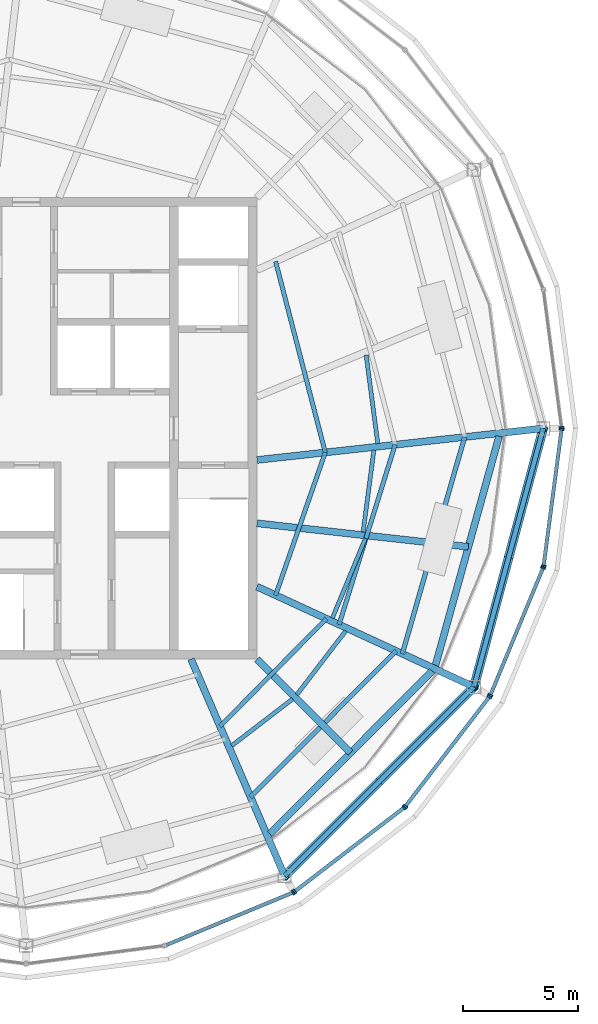
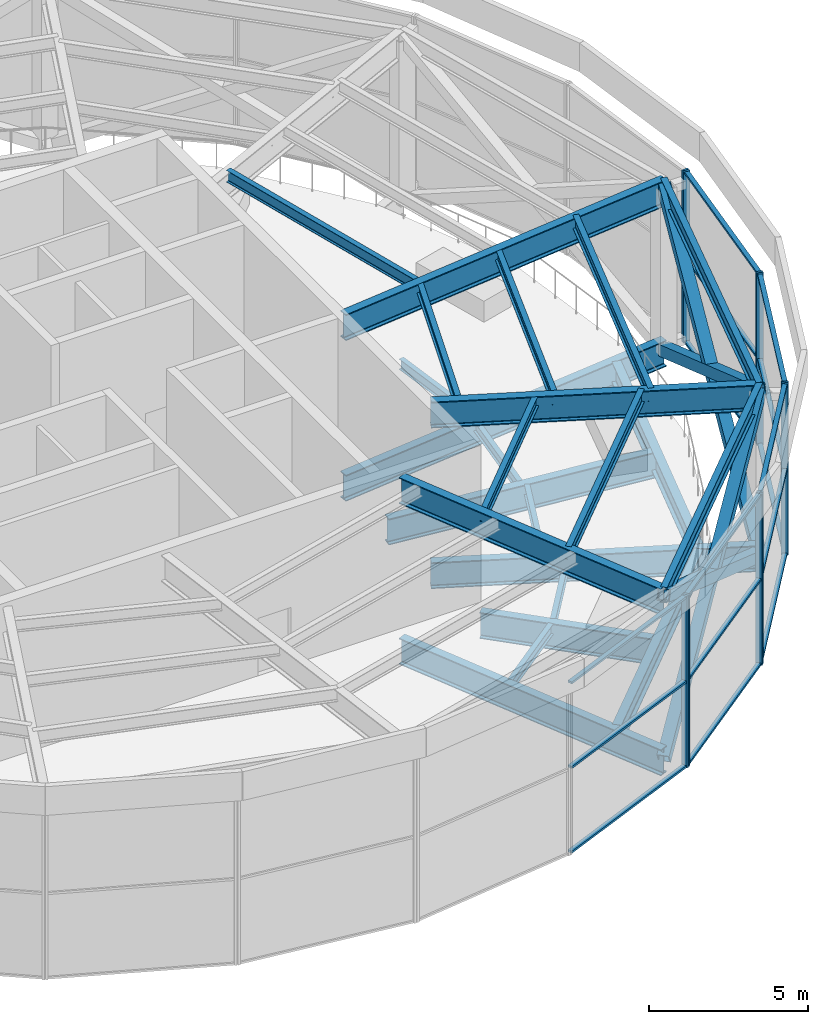
# One storey, part 4 of 13: 35 members, 17 beams, 6 elements without a shape of their own.
"""IFC4 building model written with IfcOpenShell, lengths in metres."""

from ifc_helpers import new_model, si_unit, direction, frame, origin, origin_2d, place, context, subcontext, project, spatial, rectangle, hollow_rectangle, i_section, extrude, material, material_profile, profile_set, type_object, element, aggregate, save


model = new_model("IFC4")

# Units and contexts
model_context = context("Model", 3, precision=1e-05, world=origin(), true_north=direction((0.0, 1.0)))
body_context = subcontext(model_context, "Body", "Model", "MODEL_VIEW")
ifc_project = project(units=[si_unit("LENGTHUNIT", "METRE"), si_unit("AREAUNIT", "SQUARE_METRE"), si_unit("VOLUMEUNIT", "CUBIC_METRE"), si_unit("PLANEANGLEUNIT", "RADIAN"), si_unit("MASSUNIT", "GRAM", prefix="KILO")], contexts=[model_context])

# Site, building, storey
site_placement = place(None, origin())
site = spatial("IfcSite", under=ifc_project, at=site_placement, CompositionType="ELEMENT")
building_placement = place(site_placement, origin())
building = spatial("IfcBuilding", under=site, at=building_placement, Name="Golbaran Civic Tower", CompositionType="ELEMENT")
storey_placement = place(building_placement, frame((0.0, 0.0, 284.0)))
storey = spatial("IfcBuildingStorey", under=building, at=storey_placement, Name="L69", CompositionType="ELEMENT", Elevation=284.0)

# Members
ifc_material_1 = material(Name="Steel S355", Category="steel")
ifc_material_profile_1 = material_profile(ifc_material_1, hollow_rectangle(XDim=0.39990234375, YDim=0.39990234375, WallThickness=0.030029296875, at=origin_2d()), Name="BOX 400x400x30")
ifc_profile_set_1 = profile_set([ifc_material_profile_1], Name="Steel S355")
member_type_1 = type_object("IfcMemberType", Name="CROWN FRAME BRACE BOX 400x400x30", PredefinedType="BRACE", material=ifc_profile_set_1)
for number, where, z_axis, x_axis, name in (
    (1, (11.199951171875, -19.39892578125, -0.7099609375), (0.622217242579, 0.622217242579, 0.475069895988), (-0.707106781187, 0.707106781187, 0.0), "Crown frame brace 11A"),
    (2, (19.39892578125, -11.199951171875, -0.7099609375), (-0.622217242579, -0.622217242579, 0.475069895988), (0.707106781187, -0.707106781187, 0.0), "Crown frame brace 11B"),
    (3, (19.39892578125, -11.199951171875, -0.7099609375), (0.227744086126, 0.849964200377, 0.475072088542), (-0.965926716951, 0.258815721085, 0.0), "Crown frame brace 12A"),
    (4, (22.39990234375, 0.0, -0.7099609375), (-0.227744086126, -0.849964200377, 0.475072088542), (0.965926716951, -0.258815721085, 0.0), "Crown frame brace 12B"),
):
    element("IfcMember", number, at=place(storey_placement, frame(where, z_axis=z_axis, x_axis=x_axis)), inside=storey, type_object=member_type_1, Name=name, PredefinedType="BRACE", context=body_context, shape_type="SweptSolid", body=[
        extrude(hollow_rectangle(XDim=0.39990234375, YDim=0.39990234375, WallThickness=0.030029296875, at=origin_2d()), origin(), (0.0, 0.0, 1.0), 13.177001953125),
    ])
ifc_material_profile_2 = material_profile(ifc_material_1, i_section(OverallWidth=0.18994140625, OverallDepth=0.449951171875, WebThickness=0.009521484375, FlangeThickness=0.0146484375, FilletRadius=0.02099609375, at=origin_2d()), Name="IPE 450")
ifc_profile_set_2 = profile_set([ifc_material_profile_2], Name="Steel S355")
member_type_2 = type_object("IfcMemberType", Name="CROWN FRAME CANOPY PURLIN IPE 450", PredefinedType="PURLIN", material=ifc_profile_set_2)
member_1_placement = place(storey_placement, frame((12.9580078125, -1.044189453125, 5.625), z_axis=(-0.251884758859, 0.967757236219, 0.0), x_axis=(-0.967757236219, -0.251884758859, 0.0)))
element("IfcMember", 5, at=member_1_placement, inside=storey, type_object=member_type_2, Name="Canopy purlin 1-1", PredefinedType="PURLIN", context=body_context, shape_type="SweptSolid", body=[
    extrude(i_section(OverallWidth=0.18994140625, OverallDepth=0.449951171875, WebThickness=0.009521484375, FlangeThickness=0.0146484375, FilletRadius=0.02099609375, at=origin_2d()), origin(), (0.0, 0.0, 1.0), 8.548828125),
])
member_2_placement = place(storey_placement, frame((8.3984375, -12.908447265625, 5.625), z_axis=(0.702923047744, 0.711265905938, 0.0), x_axis=(-0.711265905938, 0.702923047744, 0.0)))
element("IfcMember", 6, at=member_2_placement, inside=storey, type_object=member_type_2, Name="Canopy purlin 11-1", PredefinedType="PURLIN", context=body_context, shape_type="SweptSolid", body=[
    extrude(i_section(OverallWidth=0.18994140625, OverallDepth=0.449951171875, WebThickness=0.009521484375, FlangeThickness=0.0146484375, FilletRadius=0.02099609375, at=origin_2d()), origin(), (0.0, 0.0, 1.0), 6.554931640625),
])
member_3_placement = place(storey_placement, frame((10.8046875, -7.22900390625, 5.625), z_axis=(0.328804008774, 0.944398180756, 0.0), x_axis=(-0.944398180756, 0.328804008774, 0.0)))
element("IfcMember", 7, at=member_3_placement, inside=storey, type_object=member_type_2, Name="Canopy purlin 12-1", PredefinedType="PURLIN", context=body_context, shape_type="SweptSolid", body=[
    extrude(i_section(OverallWidth=0.18994140625, OverallDepth=0.449951171875, WebThickness=0.009521484375, FlangeThickness=0.0146484375, FilletRadius=0.02099609375, at=origin_2d()), origin(), (0.0, 0.0, 1.0), 6.548828125),
])
member_4_placement = place(storey_placement, frame((13.555419921875, -8.5, 5.625), z_axis=(0.297651448365, 0.954674612256, 0.0), x_axis=(-0.954674612256, 0.297651448365, 0.0)))
element("IfcMember", 8, at=member_4_placement, inside=storey, type_object=member_type_2, Name="Canopy purlin 12-2", PredefinedType="PURLIN", context=body_context, shape_type="SweptSolid", body=[
    extrude(i_section(OverallWidth=0.18994140625, OverallDepth=0.449951171875, WebThickness=0.009521484375, FlangeThickness=0.0146484375, FilletRadius=0.02099609375, at=origin_2d()), origin(), (0.0, 0.0, 1.0), 8.160400390625),
])
ifc_material_profile_3 = material_profile(ifc_material_1, i_section(OverallWidth=0.199951171875, OverallDepth=0.5, WebThickness=0.01025390625, FlangeThickness=0.01611328125, FilletRadius=0.02099609375, at=origin_2d()), Name="IPE 500")
ifc_profile_set_3 = profile_set([ifc_material_profile_3], Name="Steel S355")
member_type_3 = type_object("IfcMemberType", Name="CROWN FRAME CANOPY PURLIN IPE 500", PredefinedType="PURLIN", material=ifc_profile_set_3)
member_5_placement = place(storey_placement, frame((9.7216796875, -15.974365234375, 5.60009765625), z_axis=(0.705301061713, 0.708907901173, 0.0), x_axis=(-0.708907901173, 0.705301061713, 0.0)))
element("IfcMember", 9, at=member_5_placement, inside=storey, type_object=member_type_3, Name="Canopy purlin 11-2", PredefinedType="PURLIN", context=body_context, shape_type="SweptSolid", body=[
    extrude(i_section(OverallWidth=0.199951171875, OverallDepth=0.5, WebThickness=0.01025390625, FlangeThickness=0.01611328125, FilletRadius=0.02099609375, at=origin_2d()), origin(), (0.0, 0.0, 1.0), 8.934814453125),
])
member_6_placement = place(storey_placement, frame((16.29736328125, -9.766845703125, 5.60009765625), z_axis=(0.276235588519, 0.961089953977, 0.0), x_axis=(-0.961089953977, 0.276235588519, 0.0)))
element("IfcMember", 10, at=member_6_placement, inside=storey, type_object=member_type_3, Name="Canopy purlin 12-3", PredefinedType="PURLIN", context=body_context, shape_type="SweptSolid", body=[
    extrude(i_section(OverallWidth=0.199951171875, OverallDepth=0.5, WebThickness=0.01025390625, FlangeThickness=0.01611328125, FilletRadius=0.02099609375, at=origin_2d()), origin(), (0.0, 0.0, 1.0), 9.7705078125),
])

# Beams
ifc_material_profile_4 = material_profile(ifc_material_1, i_section(OverallWidth=0.300048828125, OverallDepth=1.0, WebThickness=0.01904296875, FlangeThickness=0.035888671875, FilletRadius=0.030029296875, at=origin_2d()), Name="HEB 1000")
ifc_profile_set_4 = profile_set([ifc_material_profile_4], Name="Steel S355")
beam_type_1 = type_object("IfcBeamType", Name="CROWN FRAME CANOPY RADIAL BEAM HEB 1000", PredefinedType="BEAM", material=ifc_profile_set_4)
beam_1_placement = place(storey_placement, frame((10.0, -1.371337890625, 5.35009765625), z_axis=(0.993940165239, 0.109922463244, 0.0), x_axis=(-0.109922463244, 0.993940165239, 0.0)))
element("IfcBeam", 11, at=beam_1_placement, inside=storey, type_object=beam_type_1, Name="Canopy radial beam 1", PredefinedType="BEAM", context=body_context, shape_type="SweptSolid", body=[
    extrude(i_section(OverallWidth=0.300048828125, OverallDepth=1.0, WebThickness=0.01904296875, FlangeThickness=0.035888671875, FilletRadius=0.030029296875, at=origin_2d()), origin(), (0.0, 0.0, 1.0), 12.4755859375),
])
beam_2_placement = place(storey_placement, frame((7.142822265625, -10.0, 5.35009765625), z_axis=(0.396312669682, -0.918115607018, 0.0), x_axis=(0.918115607018, 0.396312669682, 0.0)))
element("IfcBeam", 12, at=beam_2_placement, inside=storey, type_object=beam_type_1, Name="Canopy radial beam 11", PredefinedType="BEAM", context=body_context, shape_type="SweptSolid", body=[
    extrude(i_section(OverallWidth=0.300048828125, OverallDepth=1.0, WebThickness=0.01904296875, FlangeThickness=0.035888671875, FilletRadius=0.030029296875, at=origin_2d()), origin(), (0.0, 0.0, 1.0), 10.2373046875),
])
beam_3_placement = place(storey_placement, frame((10.0, -6.857177734375, 5.35009765625), z_axis=(0.907782626383, -0.419440941298, 0.0), x_axis=(0.419440941298, 0.907782626383, 0.0)))
element("IfcBeam", 13, at=beam_3_placement, inside=storey, type_object=beam_type_1, Name="Canopy radial beam 12", PredefinedType="BEAM", context=body_context, shape_type="SweptSolid", body=[
    extrude(i_section(OverallWidth=0.300048828125, OverallDepth=1.0, WebThickness=0.01904296875, FlangeThickness=0.035888671875, FilletRadius=0.030029296875, at=origin_2d()), origin(), (0.0, 0.0, 1.0), 10.353759765625),
])
ifc_material_profile_5 = material_profile(ifc_material_1, i_section(OverallWidth=0.219970703125, OverallDepth=0.60009765625, WebThickness=0.011962890625, FlangeThickness=0.01904296875, FilletRadius=0.02392578125, at=origin_2d()), Name="IPE 600")
ifc_profile_set_5 = profile_set([ifc_material_profile_5], Name="Steel S355")
beam_type_2 = type_object("IfcBeamType", Name="CROWN FRAME CANOPY RING BEAM IPE 600", PredefinedType="BEAM", material=ifc_profile_set_5)
beam_4_placement = place(storey_placement, frame((11.199951171875, -19.39892578125, 5.550048828125), z_axis=(0.707106781187, 0.707106781187, 0.0), x_axis=(-0.707106781187, 0.707106781187, 0.0)))
element("IfcBeam", 14, at=beam_4_placement, inside=storey, type_object=beam_type_2, Name="Canopy ring beam 11", PredefinedType="BEAM", context=body_context, shape_type="SweptSolid", body=[
    extrude(i_section(OverallWidth=0.219970703125, OverallDepth=0.60009765625, WebThickness=0.011962890625, FlangeThickness=0.01904296875, FilletRadius=0.02392578125, at=origin_2d()), origin(), (0.0, 0.0, 1.0), 11.59521484375),
])
beam_5_placement = place(storey_placement, frame((19.39892578125, -11.199951171875, 5.550048828125), z_axis=(0.258815721085, 0.965926716951, 0.0), x_axis=(-0.965926716951, 0.258815721085, 0.0)))
element("IfcBeam", 15, at=beam_5_placement, inside=storey, type_object=beam_type_2, Name="Canopy ring beam 12", PredefinedType="BEAM", context=body_context, shape_type="SweptSolid", body=[
    extrude(i_section(OverallWidth=0.219970703125, OverallDepth=0.60009765625, WebThickness=0.011962890625, FlangeThickness=0.01904296875, FilletRadius=0.02392578125, at=origin_2d()), origin(), (0.0, 0.0, 1.0), 11.594970703125),
])
ifc_material_profile_6 = material_profile(ifc_material_1, i_section(OverallWidth=0.300048828125, OverallDepth=0.800048828125, WebThickness=0.017578125, FlangeThickness=0.032958984375, FilletRadius=0.030029296875, at=origin_2d()), Name="HEB 800")
ifc_profile_set_6 = profile_set([ifc_material_profile_6], Name="Steel S355")
beam_type_3 = type_object("IfcBeamType", Name="EDGE BEAM HEB 800", PredefinedType="BEAM", material=ifc_profile_set_6)
beam_6_placement = place(storey_placement, frame((10.551513671875, -17.568359375, -0.699951171875), z_axis=(0.706273825307, 0.707938757017, 0.0), x_axis=(-0.707938757017, 0.706273825307, 0.0)))
element("IfcBeam", 16, at=beam_6_placement, inside=storey, type_object=beam_type_3, Name="Edge beam 300.00 L69", PredefinedType="BEAM", context=body_context, shape_type="SweptSolid", body=[
    extrude(i_section(OverallWidth=0.300048828125, OverallDepth=0.800048828125, WebThickness=0.017578125, FlangeThickness=0.032958984375, FilletRadius=0.030029296875, at=origin_2d()), origin(), (0.0, 0.0, 1.0), 9.971435546875),
])
beam_7_placement = place(storey_placement, frame((17.72705078125, -10.2841796875, -0.699951171875), z_axis=(0.267689014056, 0.963505366749, 0.0), x_axis=(-0.963505366749, 0.267689014056, 0.0)))
element("IfcBeam", 17, at=beam_7_placement, inside=storey, type_object=beam_type_3, Name="Edge beam 330.00 L69", PredefinedType="BEAM", context=body_context, shape_type="SweptSolid", body=[
    extrude(i_section(OverallWidth=0.300048828125, OverallDepth=0.800048828125, WebThickness=0.017578125, FlangeThickness=0.032958984375, FilletRadius=0.030029296875, at=origin_2d()), origin(), (0.0, 0.0, 1.0), 10.318603515625),
])
ifc_material_profile_7 = material_profile(ifc_material_1, i_section(OverallWidth=0.179931640625, OverallDepth=0.39990234375, WebThickness=0.008544921875, FlangeThickness=0.013427734375, FilletRadius=0.02099609375, at=origin_2d()), Name="IPE 400")
ifc_profile_set_7 = profile_set([ifc_material_profile_7], Name="Steel S355")
beam_type_4 = type_object("IfcBeamType", Name="FLOOR INFILL BEAM IPE 400", PredefinedType="BEAM", material=ifc_profile_set_7)
beam_8_placement = place(storey_placement, frame((15.2333984375, -0.661865234375, -0.5), z_axis=(-0.130519754353, 0.991445708914, 0.0), x_axis=(-0.991445708914, -0.130519754353, 0.0)))
element("IfcBeam", 18, at=beam_8_placement, inside=storey, type_object=beam_type_4, Name="Infill beam 7.50 L69", PredefinedType="BEAM", context=body_context, shape_type="SweptSolid", body=[
    extrude(i_section(OverallWidth=0.179931640625, OverallDepth=0.39990234375, WebThickness=0.008544921875, FlangeThickness=0.013427734375, FilletRadius=0.02099609375, at=origin_2d()), origin(), (0.0, 0.0, 1.0), 3.8720703125),
])
beam_9_placement = place(storey_placement, frame((8.9033203125, -13.75, -0.5), z_axis=(0.793371165585, 0.60873819793, 0.0), x_axis=(-0.60873819793, 0.793371165585, 0.0)))
element("IfcBeam", 19, at=beam_9_placement, inside=storey, type_object=beam_type_4, Name="Infill beam 307.50 L69", PredefinedType="BEAM", context=body_context, shape_type="SweptSolid", body=[
    extrude(i_section(OverallWidth=0.179931640625, OverallDepth=0.39990234375, WebThickness=0.008544921875, FlangeThickness=0.013427734375, FilletRadius=0.02099609375, at=origin_2d()), origin(), (0.0, 0.0, 1.0), 3.32568359375),
])
beam_10_placement = place(storey_placement, frame((11.723388671875, -11.53955078125, -0.5), z_axis=(0.608734654071, 0.793373884705, 0.0), x_axis=(-0.793373884705, 0.608734654071, 0.0)))
element("IfcBeam", 20, at=beam_10_placement, inside=storey, type_object=beam_type_4, Name="Infill beam 322.50 L69", PredefinedType="BEAM", context=body_context, shape_type="SweptSolid", body=[
    extrude(i_section(OverallWidth=0.179931640625, OverallDepth=0.39990234375, WebThickness=0.008544921875, FlangeThickness=0.013427734375, FilletRadius=0.02099609375, at=origin_2d()), origin(), (0.0, 0.0, 1.0), 3.48291015625),
])
beam_11_placement = place(storey_placement, frame((13.265380859375, -8.22265625, -0.5), z_axis=(0.382709282091, 0.923868824781, 0.0), x_axis=(-0.923868824781, 0.382709282091, 0.0)))
element("IfcBeam", 21, at=beam_11_placement, inside=storey, type_object=beam_type_4, Name="Infill beam 337.50 L69", PredefinedType="BEAM", context=body_context, shape_type="SweptSolid", body=[
    extrude(i_section(OverallWidth=0.179931640625, OverallDepth=0.39990234375, WebThickness=0.008544921875, FlangeThickness=0.013427734375, FilletRadius=0.02099609375, at=origin_2d()), origin(), (0.0, 0.0, 1.0), 3.739501953125),
])
beam_12_placement = place(storey_placement, frame((14.595947265625, -4.494873046875, -0.5), z_axis=(0.130539107774, 0.991443160923, 0.0), x_axis=(-0.991443160923, 0.130539107774, 0.0)))
element("IfcBeam", 22, at=beam_12_placement, inside=storey, type_object=beam_type_4, Name="Infill beam 352.50 L69", PredefinedType="BEAM", context=body_context, shape_type="SweptSolid", body=[
    extrude(i_section(OverallWidth=0.179931640625, OverallDepth=0.39990234375, WebThickness=0.008544921875, FlangeThickness=0.013427734375, FilletRadius=0.02099609375, at=origin_2d()), origin(), (0.0, 0.0, 1.0), 3.58349609375),
])

# Curtain wall, member
ifc_material_2 = material(Name="Aluminium and glass", Category="aluminium")
curtain_wall_type = type_object("IfcCurtainWallType", Name="OUTER SKIN TERRACOTTA SCREEN", PredefinedType="NOTDEFINED", material=ifc_material_2)
curtain_wall_1_placement = place(storey_placement, origin())
curtain_wall_1 = element("IfcCurtainWall", 23, at=curtain_wall_1_placement, inside=storey, type_object=curtain_wall_type, Name="Crown screen L69 facet 1 CW3", ObjectType="OUTER SKIN", PredefinedType="USERDEFINED")
ifc_material_3 = material(Name="Aluminium", Category="aluminium")
ifc_material_profile_8 = material_profile(ifc_material_3, rectangle(XDim=0.219970703125, YDim=0.080078125, at=origin_2d()), Name="OUTER SKIN TERRACOTTA SCREEN MULLION")
ifc_profile_set_8 = profile_set([ifc_material_profile_8], Name="Aluminium")
member_type_4 = type_object("IfcMemberType", Name="OUTER SKIN TERRACOTTA SCREEN MULLION", PredefinedType="MULLION", material=ifc_profile_set_8)
member_7_placement = place(storey_placement, frame((23.19482421875, 0.03955078125, -0.7099609375), z_axis=(0.0, 0.0, 1.0), x_axis=(-0.991444861374, -0.13052619222, 0.0)))
member_7 = element("IfcMember", 24, at=member_7_placement, type_object=member_type_4, Name="CW3 mullion 1", PredefinedType="MULLION", context=body_context, shape_type="SweptSolid", body=[
    extrude(rectangle(XDim=0.219970703125, YDim=0.080078125, at=origin_2d()), origin(), (0.0, 0.0, 1.0), 6.56005859375),
])
aggregate(curtain_wall_1, [member_7])

curtain_wall_2_placement = place(storey_placement, origin())
curtain_wall_2 = element("IfcCurtainWall", 25, at=curtain_wall_2_placement, inside=storey, type_object=curtain_wall_type, Name="Crown screen L69 facet 20 CW3", ObjectType="OUTER SKIN", PredefinedType="USERDEFINED")
member_8_placement = place(storey_placement, frame((11.56298828125, -20.107177734375, -0.7099609375), z_axis=(0.0, 0.0, 1.0), x_axis=(-0.382683432333, 0.923879532525, 0.0)))
member_8 = element("IfcMember", 26, at=member_8_placement, type_object=member_type_4, Name="CW3 mullion 2", PredefinedType="MULLION", context=body_context, shape_type="SweptSolid", body=[
    extrude(rectangle(XDim=0.219970703125, YDim=0.080078125, at=origin_2d()), origin(), (0.0, 0.0, 1.0), 6.56005859375),
])

# Curtain wall, members
curtain_wall_3_placement = place(storey_placement, origin())
curtain_wall_3 = element("IfcCurtainWall", 27, at=curtain_wall_3_placement, inside=storey, type_object=curtain_wall_type, Name="Crown screen L69 facet 21 CW3", ObjectType="OUTER SKIN", PredefinedType="USERDEFINED")
member_9_placement = place(storey_placement, frame((11.6318359375, -20.0673828125, -0.7099609375), z_axis=(0.0, 0.0, 1.0), x_axis=(-0.608761428939, 0.793353340344, 0.0)))
member_9 = element("IfcMember", 28, at=member_9_placement, type_object=member_type_4, Name="CW3 mullion 1", PredefinedType="MULLION", context=body_context, shape_type="SweptSolid", body=[
    extrude(rectangle(XDim=0.219970703125, YDim=0.080078125, at=origin_2d()), origin(), (0.0, 0.0, 1.0), 6.56005859375),
])
member_10_placement = place(storey_placement, frame((16.373046875, -16.42919921875, -0.7099609375), z_axis=(0.0, 0.0, 1.0), x_axis=(-0.608761428939, 0.793353340344, 0.0)))
member_10 = element("IfcMember", 29, at=member_10_placement, type_object=member_type_4, Name="CW3 mullion 2", PredefinedType="MULLION", context=body_context, shape_type="SweptSolid", body=[
    extrude(rectangle(XDim=0.219970703125, YDim=0.080078125, at=origin_2d()), origin(), (0.0, 0.0, 1.0), 6.56005859375),
])

curtain_wall_4_placement = place(storey_placement, origin())
curtain_wall_4 = element("IfcCurtainWall", 30, at=curtain_wall_4_placement, inside=storey, type_object=curtain_wall_type, Name="Crown screen L69 facet 22 CW3", ObjectType="OUTER SKIN", PredefinedType="USERDEFINED")
member_11_placement = place(storey_placement, frame((16.42919921875, -16.373046875, -0.7099609375), z_axis=(0.0, 0.0, 1.0), x_axis=(-0.793353340344, 0.608761428939, 0.0)))
member_11 = element("IfcMember", 31, at=member_11_placement, type_object=member_type_4, Name="CW3 mullion 1", PredefinedType="MULLION", context=body_context, shape_type="SweptSolid", body=[
    extrude(rectangle(XDim=0.219970703125, YDim=0.080078125, at=origin_2d()), origin(), (0.0, 0.0, 1.0), 6.56005859375),
])
member_12_placement = place(storey_placement, frame((20.0673828125, -11.6318359375, -0.7099609375), z_axis=(0.0, 0.0, 1.0), x_axis=(-0.793353340344, 0.608761428939, 0.0)))
member_12 = element("IfcMember", 32, at=member_12_placement, type_object=member_type_4, Name="CW3 mullion 2", PredefinedType="MULLION", context=body_context, shape_type="SweptSolid", body=[
    extrude(rectangle(XDim=0.219970703125, YDim=0.080078125, at=origin_2d()), origin(), (0.0, 0.0, 1.0), 6.56005859375),
])

curtain_wall_5_placement = place(storey_placement, origin())
curtain_wall_5 = element("IfcCurtainWall", 33, at=curtain_wall_5_placement, inside=storey, type_object=curtain_wall_type, Name="Crown screen L69 facet 23 CW3", ObjectType="OUTER SKIN", PredefinedType="USERDEFINED")
member_13_placement = place(storey_placement, frame((20.107177734375, -11.56298828125, -0.7099609375), z_axis=(0.0, 0.0, 1.0), x_axis=(-0.923879532525, 0.382683432333, 0.0)))
member_13 = element("IfcMember", 34, at=member_13_placement, type_object=member_type_4, Name="CW3 mullion 1", PredefinedType="MULLION", context=body_context, shape_type="SweptSolid", body=[
    extrude(rectangle(XDim=0.219970703125, YDim=0.080078125, at=origin_2d()), origin(), (0.0, 0.0, 1.0), 6.56005859375),
])
member_14_placement = place(storey_placement, frame((22.394287109375, -6.04150390625, -0.7099609375), z_axis=(0.0, 0.0, 1.0), x_axis=(-0.923879532525, 0.382683432333, 0.0)))
member_14 = element("IfcMember", 35, at=member_14_placement, type_object=member_type_4, Name="CW3 mullion 2", PredefinedType="MULLION", context=body_context, shape_type="SweptSolid", body=[
    extrude(rectangle(XDim=0.219970703125, YDim=0.080078125, at=origin_2d()), origin(), (0.0, 0.0, 1.0), 6.56005859375),
])

curtain_wall_6_placement = place(storey_placement, origin())
curtain_wall_6 = element("IfcCurtainWall", 36, at=curtain_wall_6_placement, inside=storey, type_object=curtain_wall_type, Name="Crown screen L69 facet 24 CW3", ObjectType="OUTER SKIN", PredefinedType="USERDEFINED")
member_15_placement = place(storey_placement, frame((22.414794921875, -5.96484375, -0.7099609375), z_axis=(0.0, 0.0, 1.0), x_axis=(-0.991444861374, 0.13052619222, 0.0)))
member_15 = element("IfcMember", 37, at=member_15_placement, type_object=member_type_4, Name="CW3 mullion 1", PredefinedType="MULLION", context=body_context, shape_type="SweptSolid", body=[
    extrude(rectangle(XDim=0.219970703125, YDim=0.080078125, at=origin_2d()), origin(), (0.0, 0.0, 1.0), 6.56005859375),
])
member_16_placement = place(storey_placement, frame((23.19482421875, -0.03955078125, -0.7099609375), z_axis=(0.0, 0.0, 1.0), x_axis=(-0.991444861374, 0.13052619222, 0.0)))
member_16 = element("IfcMember", 38, at=member_16_placement, type_object=member_type_4, Name="CW3 mullion 2", PredefinedType="MULLION", context=body_context, shape_type="SweptSolid", body=[
    extrude(rectangle(XDim=0.219970703125, YDim=0.080078125, at=origin_2d()), origin(), (0.0, 0.0, 1.0), 6.56005859375),
])

# Member
ifc_material_profile_9 = material_profile(ifc_material_3, rectangle(XDim=0.159912109375, YDim=0.080078125, at=origin_2d()), Name="OUTER SKIN TERRACOTTA SCREEN TRANSOM")
ifc_profile_set_9 = profile_set([ifc_material_profile_9], Name="Aluminium")
member_type_5 = type_object("IfcMemberType", Name="OUTER SKIN TERRACOTTA SCREEN TRANSOM", PredefinedType="USERDEFINED", material=ifc_profile_set_9)
member_17_placement = place(storey_placement, frame((6.07861328125, -22.37890625, -0.669921875), z_axis=(0.923869976214, 0.382706502494, 0.0), x_axis=(-0.382706502494, 0.923869976214, 0.0)))
member_17 = element("IfcMember", 39, at=member_17_placement, type_object=member_type_5, Name="CW3 transom 1.1", ObjectType="TRANSOM", PredefinedType="USERDEFINED", context=body_context, shape_type="SweptSolid", body=[
    extrude(rectangle(XDim=0.159912109375, YDim=0.080078125, at=origin_2d()), origin(), (0.0, 0.0, 1.0), 5.896484375),
])

member_18_placement = place(storey_placement, frame((6.07861328125, -22.37890625, 2.570068359375), z_axis=(0.923869976214, 0.382706502494, 0.0), x_axis=(-0.382706502494, 0.923869976214, 0.0)))
member_18 = element("IfcMember", 40, at=member_18_placement, type_object=member_type_5, Name="CW3 transom 1.2", ObjectType="TRANSOM", PredefinedType="USERDEFINED", context=body_context, shape_type="SweptSolid", body=[
    extrude(rectangle(XDim=0.159912109375, YDim=0.080078125, at=origin_2d()), origin(), (0.0, 0.0, 1.0), 5.896484375),
])

member_19_placement = place(storey_placement, frame((6.07861328125, -22.37890625, 5.81005859375), z_axis=(0.923869976214, 0.382706502494, 0.0), x_axis=(-0.382706502494, 0.923869976214, 0.0)))
member_19 = element("IfcMember", 41, at=member_19_placement, type_object=member_type_5, Name="CW3 transom 1.3", ObjectType="TRANSOM", PredefinedType="USERDEFINED", context=body_context, shape_type="SweptSolid", body=[
    extrude(rectangle(XDim=0.159912109375, YDim=0.080078125, at=origin_2d()), origin(), (0.0, 0.0, 1.0), 5.896484375),
])

aggregate(curtain_wall_2, [member_8, member_17, member_18, member_19])

member_20_placement = place(storey_placement, frame((11.66357421875, -20.04296875, -0.669921875), z_axis=(0.793353042116, 0.608761817598, 0.0), x_axis=(-0.608761817598, 0.793353042116, 0.0)))
member_20 = element("IfcMember", 42, at=member_20_placement, type_object=member_type_5, Name="CW3 transom 1.1", ObjectType="TRANSOM", PredefinedType="USERDEFINED", context=body_context, shape_type="SweptSolid", body=[
    extrude(rectangle(XDim=0.159912109375, YDim=0.080078125, at=origin_2d()), origin(), (0.0, 0.0, 1.0), 5.896240234375),
])

member_21_placement = place(storey_placement, frame((11.66357421875, -20.04296875, 2.570068359375), z_axis=(0.793353042116, 0.608761817598, 0.0), x_axis=(-0.608761817598, 0.793353042116, 0.0)))
member_21 = element("IfcMember", 43, at=member_21_placement, type_object=member_type_5, Name="CW3 transom 1.2", ObjectType="TRANSOM", PredefinedType="USERDEFINED", context=body_context, shape_type="SweptSolid", body=[
    extrude(rectangle(XDim=0.159912109375, YDim=0.080078125, at=origin_2d()), origin(), (0.0, 0.0, 1.0), 5.896240234375),
])

member_22_placement = place(storey_placement, frame((11.66357421875, -20.04296875, 5.81005859375), z_axis=(0.793353042116, 0.608761817598, 0.0), x_axis=(-0.608761817598, 0.793353042116, 0.0)))
member_22 = element("IfcMember", 44, at=member_22_placement, type_object=member_type_5, Name="CW3 transom 1.3", ObjectType="TRANSOM", PredefinedType="USERDEFINED", context=body_context, shape_type="SweptSolid", body=[
    extrude(rectangle(XDim=0.159912109375, YDim=0.080078125, at=origin_2d()), origin(), (0.0, 0.0, 1.0), 5.896240234375),
])

aggregate(curtain_wall_3, [member_9, member_10, member_20, member_21, member_22])

member_23_placement = place(storey_placement, frame((16.45361328125, -16.34130859375, -0.669921875), z_axis=(0.608761817598, 0.793353042116, 0.0), x_axis=(-0.793353042116, 0.608761817598, 0.0)))
member_23 = element("IfcMember", 45, at=member_23_placement, type_object=member_type_5, Name="CW3 transom 1.1", ObjectType="TRANSOM", PredefinedType="USERDEFINED", context=body_context, shape_type="SweptSolid", body=[
    extrude(rectangle(XDim=0.159912109375, YDim=0.080078125, at=origin_2d()), origin(), (0.0, 0.0, 1.0), 5.896240234375),
])

member_24_placement = place(storey_placement, frame((16.45361328125, -16.34130859375, 2.570068359375), z_axis=(0.608761817598, 0.793353042116, 0.0), x_axis=(-0.793353042116, 0.608761817598, 0.0)))
member_24 = element("IfcMember", 46, at=member_24_placement, type_object=member_type_5, Name="CW3 transom 1.2", ObjectType="TRANSOM", PredefinedType="USERDEFINED", context=body_context, shape_type="SweptSolid", body=[
    extrude(rectangle(XDim=0.159912109375, YDim=0.080078125, at=origin_2d()), origin(), (0.0, 0.0, 1.0), 5.896240234375),
])

member_25_placement = place(storey_placement, frame((16.45361328125, -16.34130859375, 5.81005859375), z_axis=(0.608761817598, 0.793353042116, 0.0), x_axis=(-0.793353042116, 0.608761817598, 0.0)))
member_25 = element("IfcMember", 47, at=member_25_placement, type_object=member_type_5, Name="CW3 transom 1.3", ObjectType="TRANSOM", PredefinedType="USERDEFINED", context=body_context, shape_type="SweptSolid", body=[
    extrude(rectangle(XDim=0.159912109375, YDim=0.080078125, at=origin_2d()), origin(), (0.0, 0.0, 1.0), 5.896240234375),
])

aggregate(curtain_wall_4, [member_11, member_12, member_23, member_24, member_25])

member_26_placement = place(storey_placement, frame((20.122314453125, -11.526123046875, -0.669921875), z_axis=(0.382706502494, 0.923869976214, 0.0), x_axis=(-0.923869976214, 0.382706502494, 0.0)))
member_26 = element("IfcMember", 48, at=member_26_placement, type_object=member_type_5, Name="CW3 transom 1.1", ObjectType="TRANSOM", PredefinedType="USERDEFINED", context=body_context, shape_type="SweptSolid", body=[
    extrude(rectangle(XDim=0.159912109375, YDim=0.080078125, at=origin_2d()), origin(), (0.0, 0.0, 1.0), 5.896484375),
])

member_27_placement = place(storey_placement, frame((20.122314453125, -11.526123046875, 2.570068359375), z_axis=(0.382706502494, 0.923869976214, 0.0), x_axis=(-0.923869976214, 0.382706502494, 0.0)))
member_27 = element("IfcMember", 49, at=member_27_placement, type_object=member_type_5, Name="CW3 transom 1.2", ObjectType="TRANSOM", PredefinedType="USERDEFINED", context=body_context, shape_type="SweptSolid", body=[
    extrude(rectangle(XDim=0.159912109375, YDim=0.080078125, at=origin_2d()), origin(), (0.0, 0.0, 1.0), 5.896484375),
])

member_28_placement = place(storey_placement, frame((20.122314453125, -11.526123046875, 5.81005859375), z_axis=(0.382706502494, 0.923869976214, 0.0), x_axis=(-0.923869976214, 0.382706502494, 0.0)))
member_28 = element("IfcMember", 50, at=member_28_placement, type_object=member_type_5, Name="CW3 transom 1.3", ObjectType="TRANSOM", PredefinedType="USERDEFINED", context=body_context, shape_type="SweptSolid", body=[
    extrude(rectangle(XDim=0.159912109375, YDim=0.080078125, at=origin_2d()), origin(), (0.0, 0.0, 1.0), 5.896484375),
])

aggregate(curtain_wall_5, [member_13, member_14, member_26, member_27, member_28])

member_29_placement = place(storey_placement, frame((22.419921875, -5.92529296875, -0.669921875), z_axis=(0.130509136774, 0.991447106617, 0.0), x_axis=(-0.991447106617, 0.130509136774, 0.0)))
member_29 = element("IfcMember", 51, at=member_29_placement, type_object=member_type_5, Name="CW3 transom 1.1", ObjectType="TRANSOM", PredefinedType="USERDEFINED", context=body_context, shape_type="SweptSolid", body=[
    extrude(rectangle(XDim=0.159912109375, YDim=0.080078125, at=origin_2d()), origin(), (0.0, 0.0, 1.0), 5.896484375),
])

member_30_placement = place(storey_placement, frame((22.419921875, -5.92529296875, 2.570068359375), z_axis=(0.130509136774, 0.991447106617, 0.0), x_axis=(-0.991447106617, 0.130509136774, 0.0)))
member_30 = element("IfcMember", 52, at=member_30_placement, type_object=member_type_5, Name="CW3 transom 1.2", ObjectType="TRANSOM", PredefinedType="USERDEFINED", context=body_context, shape_type="SweptSolid", body=[
    extrude(rectangle(XDim=0.159912109375, YDim=0.080078125, at=origin_2d()), origin(), (0.0, 0.0, 1.0), 5.896484375),
])

member_31_placement = place(storey_placement, frame((22.419921875, -5.92529296875, 5.81005859375), z_axis=(0.130509136774, 0.991447106617, 0.0), x_axis=(-0.991447106617, 0.130509136774, 0.0)))
member_31 = element("IfcMember", 53, at=member_31_placement, type_object=member_type_5, Name="CW3 transom 1.3", ObjectType="TRANSOM", PredefinedType="USERDEFINED", context=body_context, shape_type="SweptSolid", body=[
    extrude(rectangle(XDim=0.159912109375, YDim=0.080078125, at=origin_2d()), origin(), (0.0, 0.0, 1.0), 5.896484375),
])

aggregate(curtain_wall_6, [member_15, member_16, member_29, member_30, member_31])

# Beams
ifc_material_profile_10 = material_profile(ifc_material_1, i_section(OverallWidth=0.300048828125, OverallDepth=1.0, WebThickness=0.01904296875, FlangeThickness=0.035888671875, FilletRadius=0.030029296875, at=origin_2d()), Name="HEB 1000")
ifc_profile_set_10 = profile_set([ifc_material_profile_10], Name="Steel S355")
beam_type_5 = type_object("IfcBeamType", Name="RADIAL FLOOR BEAM HEB 1000", PredefinedType="BEAM", material=ifc_profile_set_10)
beam_13_placement = place(storey_placement, frame((10.0, -1.371337890625, -0.800048828125), z_axis=(0.993940165239, 0.109922463244, 0.0), x_axis=(-0.109922463244, 0.993940165239, 0.0)))
element("IfcBeam", 54, at=beam_13_placement, inside=storey, type_object=beam_type_5, Name="Radial beam 0.00 L69", PredefinedType="BEAM", context=body_context, shape_type="SweptSolid", body=[
    extrude(i_section(OverallWidth=0.300048828125, OverallDepth=1.0, WebThickness=0.01904296875, FlangeThickness=0.035888671875, FilletRadius=0.030029296875, at=origin_2d()), origin(), (0.0, 0.0, 1.0), 12.4755859375),
])
beam_14_placement = place(storey_placement, frame((7.142822265625, -10.0, -0.800048828125), z_axis=(0.396312669682, -0.918115607018, 0.0), x_axis=(0.918115607018, 0.396312669682, 0.0)))
element("IfcBeam", 55, at=beam_14_placement, inside=storey, type_object=beam_type_5, Name="Radial beam 300.00 L69", PredefinedType="BEAM", context=body_context, shape_type="SweptSolid", body=[
    extrude(i_section(OverallWidth=0.300048828125, OverallDepth=1.0, WebThickness=0.01904296875, FlangeThickness=0.035888671875, FilletRadius=0.030029296875, at=origin_2d()), origin(), (0.0, 0.0, 1.0), 10.2373046875),
])
beam_15_placement = place(storey_placement, frame((10.0, -6.857177734375, -0.800048828125), z_axis=(0.907782626383, -0.419440941298, 0.0), x_axis=(0.419440941298, 0.907782626383, 0.0)))
element("IfcBeam", 56, at=beam_15_placement, inside=storey, type_object=beam_type_5, Name="Radial beam 330.00 L69", PredefinedType="BEAM", context=body_context, shape_type="SweptSolid", body=[
    extrude(i_section(OverallWidth=0.300048828125, OverallDepth=1.0, WebThickness=0.01904296875, FlangeThickness=0.035888671875, FilletRadius=0.030029296875, at=origin_2d()), origin(), (0.0, 0.0, 1.0), 10.353759765625),
])
ifc_material_profile_11 = material_profile(ifc_material_1, i_section(OverallWidth=0.300048828125, OverallDepth=1.0, WebThickness=0.01904296875, FlangeThickness=0.035888671875, FilletRadius=0.030029296875, at=origin_2d()), Name="HEB 1000")
ifc_profile_set_11 = profile_set([ifc_material_profile_11], Name="Steel S355")
beam_type_6 = type_object("IfcBeamType", Name="SECONDARY FLOOR BEAM HEB 1000", PredefinedType="BEAM", material=ifc_profile_set_11)
beam_16_placement = place(storey_placement, frame((10.0, -10.0, -0.800048828125), z_axis=(0.707106781187, -0.707106781187, 0.0), x_axis=(0.707106781187, 0.707106781187, 0.0)))
element("IfcBeam", 57, at=beam_16_placement, inside=storey, type_object=beam_type_6, Name="Secondary beam 315.00 L69", PredefinedType="BEAM", context=body_context, shape_type="SweptSolid", body=[
    extrude(i_section(OverallWidth=0.300048828125, OverallDepth=1.0, WebThickness=0.01904296875, FlangeThickness=0.035888671875, FilletRadius=0.030029296875, at=origin_2d()), origin(), (0.0, 0.0, 1.0), 5.735595703125),
])
beam_17_placement = place(storey_placement, frame((10.0, -4.1142578125, -0.800048828125), z_axis=(0.993866274591, -0.1105885538, 0.0), x_axis=(0.1105885538, 0.993866274591, 0.0)))
element("IfcBeam", 58, at=beam_17_placement, inside=storey, type_object=beam_type_6, Name="Secondary beam 345.00 L69", PredefinedType="BEAM", context=body_context, shape_type="SweptSolid", body=[
    extrude(i_section(OverallWidth=0.300048828125, OverallDepth=1.0, WebThickness=0.01904296875, FlangeThickness=0.035888671875, FilletRadius=0.030029296875, at=origin_2d()), origin(), (0.0, 0.0, 1.0), 9.21484375),
])

save(model, "model.ifc")
